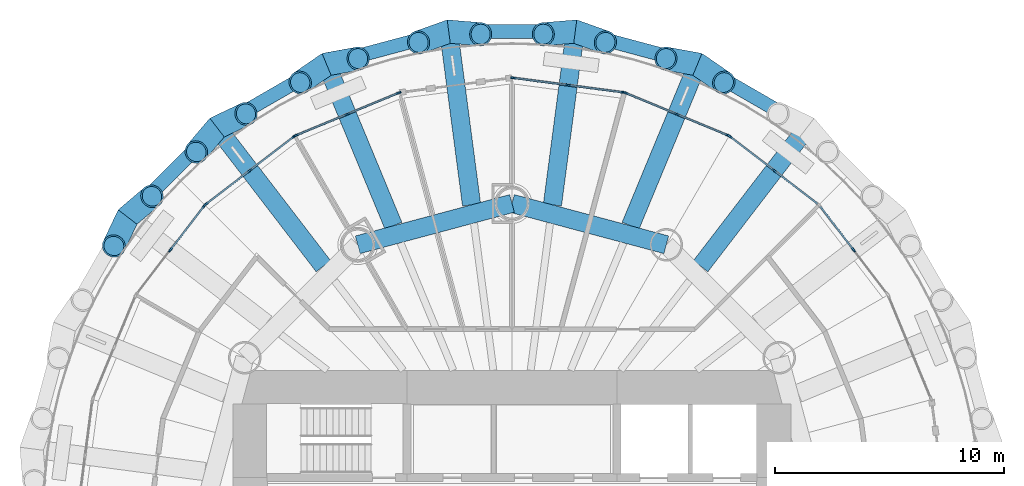
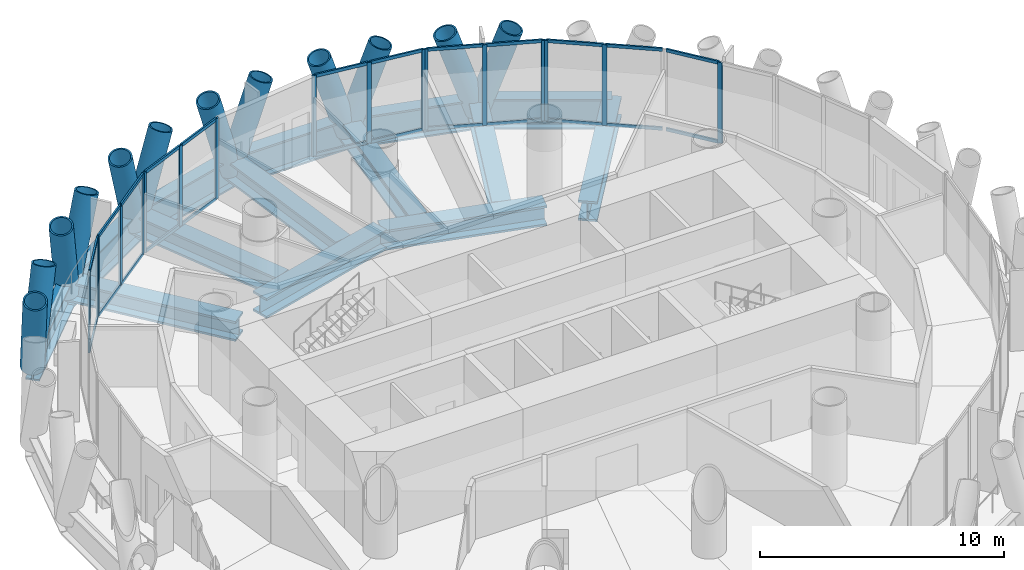
# One storey, part 6 of 16: 53 members, 14 beams, 7 elements without a shape of their own.
"""IFC4 building model written with IfcOpenShell, lengths in metres."""

from ifc_helpers import new_model, si_unit, direction, frame, origin, origin_2d, place, context, subcontext, project, spatial, rectangle, hollow_circle, i_section, extrude, material, material_profile, profile_set, type_object, element, aggregate, save


model = new_model("IFC4")

# Units and contexts
model_context = context("Model", 3, precision=1e-05, world=origin(), true_north=direction((0.0, 1.0)))
body_context = subcontext(model_context, "Body", "Model", "MODEL_VIEW")
ifc_project = project(units=[si_unit("LENGTHUNIT", "METRE"), si_unit("AREAUNIT", "SQUARE_METRE"), si_unit("VOLUMEUNIT", "CUBIC_METRE"), si_unit("PLANEANGLEUNIT", "RADIAN"), si_unit("MASSUNIT", "GRAM", prefix="KILO")], contexts=[model_context])

# Site, building, storey
site_placement = place(None, origin())
site = spatial("IfcSite", under=ifc_project, at=site_placement, CompositionType="ELEMENT")
building_placement = place(site_placement, origin())
building = spatial("IfcBuilding", under=site, at=building_placement, Name="Qaws Media Tower", CompositionType="ELEMENT")
storey_placement = place(building_placement, frame((0.0, 0.0, 269.60009765625)))
storey = spatial("IfcBuildingStorey", under=building, at=storey_placement, Name="L62", CompositionType="ELEMENT", Elevation=269.60009765625)

# Curtain wall, member
ifc_material_1 = material(Name="Aluminium and clear glass", Category="aluminium")
curtain_wall_type = type_object("IfcCurtainWallType", Name="Unitised curtain wall CW-D", PredefinedType="NOTDEFINED", material=ifc_material_1)
curtain_wall_1_placement = place(storey_placement, origin())
curtain_wall_1 = element("IfcCurtainWall", 1, at=curtain_wall_1_placement, inside=storey, type_object=curtain_wall_type, Name="CWD curtain wall L62-03", PredefinedType="NOTDEFINED")
ifc_material_2 = material(Name="Aluminium mullion", Category="aluminium")
ifc_material_profile_1 = material_profile(ifc_material_2, rectangle(XDim=0.080078125, YDim=0.199951171875, at=origin_2d()), Name="80x200")
ifc_profile_set_1 = profile_set([ifc_material_profile_1], Name="Aluminium mullion")
member_type_1 = type_object("IfcMemberType", Name="Curtain wall mullion 80x200", PredefinedType="MULLION", material=ifc_profile_set_1)
member_1_placement = place(storey_placement, frame((74.94482421875, 61.467529296875, 0.0), z_axis=(0.0, 0.0, 1.0), x_axis=(-0.793353335436, -0.608761435337, 0.0)))
member_1 = element("IfcMember", 2, at=member_1_placement, type_object=member_type_1, Name="CWD mullion 2", PredefinedType="MULLION", context=body_context, shape_type="SweptSolid", body=[
    extrude(rectangle(XDim=0.080078125, YDim=0.199951171875, at=origin_2d()), origin(), (0.0, 0.0, 1.0), 4.039794921875),
])

# Curtain wall, members
curtain_wall_2_placement = place(storey_placement, origin())
curtain_wall_2 = element("IfcCurtainWall", 3, at=curtain_wall_2_placement, inside=storey, type_object=curtain_wall_type, Name="CWD curtain wall L62-04", PredefinedType="NOTDEFINED")
member_2_placement = place(storey_placement, frame((71.467529296875, 64.94482421875, 0.0), z_axis=(0.0, 0.0, 1.0), x_axis=(-0.608761435337, -0.793353335436, 0.0)))
member_2 = element("IfcMember", 4, at=member_2_placement, type_object=member_type_1, Name="CWD mullion 2", PredefinedType="MULLION", context=body_context, shape_type="SweptSolid", body=[
    extrude(rectangle(XDim=0.080078125, YDim=0.199951171875, at=origin_2d()), origin(), (0.0, 0.0, 1.0), 4.039794921875),
])
member_3_placement = place(storey_placement, frame((69.53173828125, 66.43017578125, 0.0), z_axis=(0.0, 0.0, 1.0), x_axis=(-0.608761435337, -0.793353335436, 0.0)))
member_3 = element("IfcMember", 5, at=member_3_placement, type_object=member_type_1, Name="CWD mullion 3", PredefinedType="MULLION", context=body_context, shape_type="SweptSolid", body=[
    extrude(rectangle(XDim=0.080078125, YDim=0.199951171875, at=origin_2d()), origin(), (0.0, 0.0, 1.0), 4.039794921875),
])

curtain_wall_3_placement = place(storey_placement, origin())
curtain_wall_3 = element("IfcCurtainWall", 6, at=curtain_wall_3_placement, inside=storey, type_object=curtain_wall_type, Name="CWD curtain wall L62-05", PredefinedType="NOTDEFINED")
member_4_placement = place(storey_placement, frame((69.463134765625, 66.4697265625, 0.0), z_axis=(0.0, 0.0, 1.0), x_axis=(-0.382683437815, -0.923879530254, 0.0)))
member_4 = element("IfcMember", 7, at=member_4_placement, type_object=member_type_1, Name="CWD mullion 1", PredefinedType="MULLION", context=body_context, shape_type="SweptSolid", body=[
    extrude(rectangle(XDim=0.080078125, YDim=0.199951171875, at=origin_2d()), origin(), (0.0, 0.0, 1.0), 4.039794921875),
])
member_5_placement = place(storey_placement, frame((67.208740234375, 67.403564453125, 0.0), z_axis=(0.0, 0.0, 1.0), x_axis=(-0.382683437815, -0.923879530254, 0.0)))
member_5 = element("IfcMember", 8, at=member_5_placement, type_object=member_type_1, Name="CWD mullion 2", PredefinedType="MULLION", context=body_context, shape_type="SweptSolid", body=[
    extrude(rectangle(XDim=0.080078125, YDim=0.199951171875, at=origin_2d()), origin(), (0.0, 0.0, 1.0), 4.039794921875),
])
member_6_placement = place(storey_placement, frame((64.95458984375, 68.33740234375, 0.0), z_axis=(0.0, 0.0, 1.0), x_axis=(-0.382683437815, -0.923879530254, 0.0)))
member_6 = element("IfcMember", 9, at=member_6_placement, type_object=member_type_1, Name="CWD mullion 3", PredefinedType="MULLION", context=body_context, shape_type="SweptSolid", body=[
    extrude(rectangle(XDim=0.080078125, YDim=0.199951171875, at=origin_2d()), origin(), (0.0, 0.0, 1.0), 4.039794921875),
])

curtain_wall_4_placement = place(storey_placement, origin())
curtain_wall_4 = element("IfcCurtainWall", 10, at=curtain_wall_4_placement, inside=storey, type_object=curtain_wall_type, Name="CWD curtain wall L62-06", PredefinedType="NOTDEFINED")
member_7_placement = place(storey_placement, frame((64.8779296875, 68.35791015625, 0.0), z_axis=(0.0, 0.0, 1.0), x_axis=(-0.130526128939, -0.991444869705, 0.0)))
member_7 = element("IfcMember", 11, at=member_7_placement, type_object=member_type_1, Name="CWD mullion 1", PredefinedType="MULLION", context=body_context, shape_type="SweptSolid", body=[
    extrude(rectangle(XDim=0.080078125, YDim=0.199951171875, at=origin_2d()), origin(), (0.0, 0.0, 1.0), 4.039794921875),
])
member_8_placement = place(storey_placement, frame((62.458740234375, 68.67626953125, 0.0), z_axis=(0.0, 0.0, 1.0), x_axis=(-0.130526128939, -0.991444869705, 0.0)))
member_8 = element("IfcMember", 12, at=member_8_placement, type_object=member_type_1, Name="CWD mullion 2", PredefinedType="MULLION", context=body_context, shape_type="SweptSolid", body=[
    extrude(rectangle(XDim=0.080078125, YDim=0.199951171875, at=origin_2d()), origin(), (0.0, 0.0, 1.0), 4.039794921875),
])
member_9_placement = place(storey_placement, frame((60.03955078125, 68.994873046875, 0.0), z_axis=(0.0, 0.0, 1.0), x_axis=(-0.130526128939, -0.991444869705, 0.0)))
member_9 = element("IfcMember", 13, at=member_9_placement, type_object=member_type_1, Name="CWD mullion 3", PredefinedType="MULLION", context=body_context, shape_type="SweptSolid", body=[
    extrude(rectangle(XDim=0.080078125, YDim=0.199951171875, at=origin_2d()), origin(), (0.0, 0.0, 1.0), 4.039794921875),
])

curtain_wall_5_placement = place(storey_placement, origin())
curtain_wall_5 = element("IfcCurtainWall", 14, at=curtain_wall_5_placement, inside=storey, type_object=curtain_wall_type, Name="CWD curtain wall L62-08", PredefinedType="NOTDEFINED")
member_10_placement = place(storey_placement, frame((55.04541015625, 68.33740234375, 0.0), z_axis=(0.0, 0.0, 1.0), x_axis=(0.382683437815, -0.923879530254, 0.0)))
member_10 = element("IfcMember", 15, at=member_10_placement, type_object=member_type_1, Name="CWD mullion 1", PredefinedType="MULLION", context=body_context, shape_type="SweptSolid", body=[
    extrude(rectangle(XDim=0.080078125, YDim=0.199951171875, at=origin_2d()), origin(), (0.0, 0.0, 1.0), 4.039794921875),
])
member_11_placement = place(storey_placement, frame((52.791259765625, 67.403564453125, 0.0), z_axis=(0.0, 0.0, 1.0), x_axis=(0.382683437815, -0.923879530254, 0.0)))
member_11 = element("IfcMember", 16, at=member_11_placement, type_object=member_type_1, Name="CWD mullion 2", PredefinedType="MULLION", context=body_context, shape_type="SweptSolid", body=[
    extrude(rectangle(XDim=0.080078125, YDim=0.199951171875, at=origin_2d()), origin(), (0.0, 0.0, 1.0), 4.039794921875),
])
member_12_placement = place(storey_placement, frame((50.536865234375, 66.4697265625, 0.0), z_axis=(0.0, 0.0, 1.0), x_axis=(0.382683437815, -0.923879530254, 0.0)))
member_12 = element("IfcMember", 17, at=member_12_placement, type_object=member_type_1, Name="CWD mullion 3", PredefinedType="MULLION", context=body_context, shape_type="SweptSolid", body=[
    extrude(rectangle(XDim=0.080078125, YDim=0.199951171875, at=origin_2d()), origin(), (0.0, 0.0, 1.0), 4.039794921875),
])

curtain_wall_6_placement = place(storey_placement, origin())
curtain_wall_6 = element("IfcCurtainWall", 18, at=curtain_wall_6_placement, inside=storey, type_object=curtain_wall_type, Name="CWD curtain wall L62-09", PredefinedType="NOTDEFINED")
member_13_placement = place(storey_placement, frame((50.46826171875, 66.43017578125, 0.0), z_axis=(0.0, 0.0, 1.0), x_axis=(0.608761435337, -0.793353335436, 0.0)))
member_13 = element("IfcMember", 19, at=member_13_placement, type_object=member_type_1, Name="CWD mullion 1", PredefinedType="MULLION", context=body_context, shape_type="SweptSolid", body=[
    extrude(rectangle(XDim=0.080078125, YDim=0.199951171875, at=origin_2d()), origin(), (0.0, 0.0, 1.0), 4.039794921875),
])
member_14_placement = place(storey_placement, frame((48.532470703125, 64.94482421875, 0.0), z_axis=(0.0, 0.0, 1.0), x_axis=(0.608761435337, -0.793353335436, 0.0)))
member_14 = element("IfcMember", 20, at=member_14_placement, type_object=member_type_1, Name="CWD mullion 2", PredefinedType="MULLION", context=body_context, shape_type="SweptSolid", body=[
    extrude(rectangle(XDim=0.080078125, YDim=0.199951171875, at=origin_2d()), origin(), (0.0, 0.0, 1.0), 4.039794921875),
])
member_15_placement = place(storey_placement, frame((46.5966796875, 63.45947265625, 0.0), z_axis=(0.0, 0.0, 1.0), x_axis=(0.608761435337, -0.793353335436, 0.0)))
member_15 = element("IfcMember", 21, at=member_15_placement, type_object=member_type_1, Name="CWD mullion 3", PredefinedType="MULLION", context=body_context, shape_type="SweptSolid", body=[
    extrude(rectangle(XDim=0.080078125, YDim=0.199951171875, at=origin_2d()), origin(), (0.0, 0.0, 1.0), 4.039794921875),
])

curtain_wall_7_placement = place(storey_placement, origin())
curtain_wall_7 = element("IfcCurtainWall", 22, at=curtain_wall_7_placement, inside=storey, type_object=curtain_wall_type, Name="CWD curtain wall L62-10", PredefinedType="NOTDEFINED")
member_16_placement = place(storey_placement, frame((46.54052734375, 63.4033203125, 0.0), z_axis=(0.0, 0.0, 1.0), x_axis=(0.793353335436, -0.608761435337, 0.0)))
member_16 = element("IfcMember", 23, at=member_16_placement, type_object=member_type_1, Name="CWD mullion 1", PredefinedType="MULLION", context=body_context, shape_type="SweptSolid", body=[
    extrude(rectangle(XDim=0.080078125, YDim=0.199951171875, at=origin_2d()), origin(), (0.0, 0.0, 1.0), 4.039794921875),
])
member_17_placement = place(storey_placement, frame((45.05517578125, 61.467529296875, 0.0), z_axis=(0.0, 0.0, 1.0), x_axis=(0.793353335436, -0.608761435337, 0.0)))
member_17 = element("IfcMember", 24, at=member_17_placement, type_object=member_type_1, Name="CWD mullion 2", PredefinedType="MULLION", context=body_context, shape_type="SweptSolid", body=[
    extrude(rectangle(XDim=0.080078125, YDim=0.199951171875, at=origin_2d()), origin(), (0.0, 0.0, 1.0), 4.039794921875),
])

# Member
ifc_material_3 = material(Name="Aluminium transom", Category="aluminium")
ifc_material_profile_2 = material_profile(ifc_material_3, rectangle(XDim=0.080078125, YDim=0.159912109375, at=origin_2d()), Name="80x160")
ifc_profile_set_2 = profile_set([ifc_material_profile_2], Name="Aluminium transom")
member_type_2 = type_object("IfcMemberType", Name="Curtain wall transom 80x160", PredefinedType="USERDEFINED", material=ifc_profile_set_2)
member_18_placement = place(storey_placement, frame((74.92041015625, 61.499267578125, 0.039794921875), z_axis=(-0.608785475942, 0.793334887851, 0.0), x_axis=(-0.793334887851, -0.608785475942, 0.0)))
member_18 = element("IfcMember", 25, at=member_18_placement, type_object=member_type_2, Name="CWD transom 2.1", ObjectType="TRANSOM", PredefinedType="USERDEFINED", context=body_context, shape_type="SweptSolid", body=[
    extrude(rectangle(XDim=0.080078125, YDim=0.159912109375, at=origin_2d()), origin(), (0.0, 0.0, 1.0), 2.360107421875),
])

member_19_placement = place(storey_placement, frame((74.92041015625, 61.499267578125, 4.0), z_axis=(-0.608785475942, 0.793334887851, 0.0), x_axis=(-0.793334887851, -0.608785475942, 0.0)))
member_19 = element("IfcMember", 26, at=member_19_placement, type_object=member_type_2, Name="CWD transom 2.2", ObjectType="TRANSOM", PredefinedType="USERDEFINED", context=body_context, shape_type="SweptSolid", body=[
    extrude(rectangle(XDim=0.080078125, YDim=0.159912109375, at=origin_2d()), origin(), (0.0, 0.0, 1.0), 2.360107421875),
])

aggregate(curtain_wall_1, [member_1, member_18, member_19])

member_20_placement = place(storey_placement, frame((73.37158203125, 63.483642578125, 0.039794921875), z_axis=(-0.793334887851, 0.608785475942, 0.0), x_axis=(-0.608785475942, -0.793334887851, 0.0)))
member_20 = element("IfcMember", 27, at=member_20_placement, type_object=member_type_2, Name="CWD transom 1.1", ObjectType="TRANSOM", PredefinedType="USERDEFINED", context=body_context, shape_type="SweptSolid", body=[
    extrude(rectangle(XDim=0.080078125, YDim=0.159912109375, at=origin_2d()), origin(), (0.0, 0.0, 1.0), 2.360107421875),
])

member_21_placement = place(storey_placement, frame((73.37158203125, 63.483642578125, 4.0), z_axis=(-0.793334887851, 0.608785475942, 0.0), x_axis=(-0.608785475942, -0.793334887851, 0.0)))
member_21 = element("IfcMember", 28, at=member_21_placement, type_object=member_type_2, Name="CWD transom 1.2", ObjectType="TRANSOM", PredefinedType="USERDEFINED", context=body_context, shape_type="SweptSolid", body=[
    extrude(rectangle(XDim=0.080078125, YDim=0.159912109375, at=origin_2d()), origin(), (0.0, 0.0, 1.0), 2.360107421875),
])

member_22_placement = place(storey_placement, frame((71.435791015625, 64.968994140625, 0.039794921875), z_axis=(-0.793334887851, 0.608785475942, 0.0), x_axis=(-0.608785475942, -0.793334887851, 0.0)))
member_22 = element("IfcMember", 29, at=member_22_placement, type_object=member_type_2, Name="CWD transom 2.1", ObjectType="TRANSOM", PredefinedType="USERDEFINED", context=body_context, shape_type="SweptSolid", body=[
    extrude(rectangle(XDim=0.080078125, YDim=0.159912109375, at=origin_2d()), origin(), (0.0, 0.0, 1.0), 2.360107421875),
])

member_23_placement = place(storey_placement, frame((71.435791015625, 64.968994140625, 4.0), z_axis=(-0.793334887851, 0.608785475942, 0.0), x_axis=(-0.608785475942, -0.793334887851, 0.0)))
member_23 = element("IfcMember", 30, at=member_23_placement, type_object=member_type_2, Name="CWD transom 2.2", ObjectType="TRANSOM", PredefinedType="USERDEFINED", context=body_context, shape_type="SweptSolid", body=[
    extrude(rectangle(XDim=0.080078125, YDim=0.159912109375, at=origin_2d()), origin(), (0.0, 0.0, 1.0), 2.360107421875),
])

aggregate(curtain_wall_2, [member_2, member_3, member_20, member_21, member_22, member_23])

member_24_placement = place(storey_placement, frame((69.426025390625, 66.485107421875, 0.039794921875), z_axis=(-0.923876866406, 0.38268986885, 0.0), x_axis=(-0.38268986885, -0.923876866406, 0.0)))
member_24 = element("IfcMember", 31, at=member_24_placement, type_object=member_type_2, Name="CWD transom 1.1", ObjectType="TRANSOM", PredefinedType="USERDEFINED", context=body_context, shape_type="SweptSolid", body=[
    extrude(rectangle(XDim=0.080078125, YDim=0.159912109375, at=origin_2d()), origin(), (0.0, 0.0, 1.0), 2.35986328125),
])

member_25_placement = place(storey_placement, frame((69.426025390625, 66.485107421875, 4.0), z_axis=(-0.923876866406, 0.38268986885, 0.0), x_axis=(-0.38268986885, -0.923876866406, 0.0)))
member_25 = element("IfcMember", 32, at=member_25_placement, type_object=member_type_2, Name="CWD transom 1.2", ObjectType="TRANSOM", PredefinedType="USERDEFINED", context=body_context, shape_type="SweptSolid", body=[
    extrude(rectangle(XDim=0.080078125, YDim=0.159912109375, at=origin_2d()), origin(), (0.0, 0.0, 1.0), 2.35986328125),
])

member_26_placement = place(storey_placement, frame((67.171875, 67.4189453125, 0.039794921875), z_axis=(-0.923892015766, 0.382653293732, 0.0), x_axis=(-0.382653293732, -0.923892015766, 0.0)))
member_26 = element("IfcMember", 33, at=member_26_placement, type_object=member_type_2, Name="CWD transom 2.1", ObjectType="TRANSOM", PredefinedType="USERDEFINED", context=body_context, shape_type="SweptSolid", body=[
    extrude(rectangle(XDim=0.080078125, YDim=0.159912109375, at=origin_2d()), origin(), (0.0, 0.0, 1.0), 2.360107421875),
])

member_27_placement = place(storey_placement, frame((67.171875, 67.4189453125, 4.0), z_axis=(-0.923892015766, 0.382653293732, 0.0), x_axis=(-0.382653293732, -0.923892015766, 0.0)))
member_27 = element("IfcMember", 34, at=member_27_placement, type_object=member_type_2, Name="CWD transom 2.2", ObjectType="TRANSOM", PredefinedType="USERDEFINED", context=body_context, shape_type="SweptSolid", body=[
    extrude(rectangle(XDim=0.080078125, YDim=0.159912109375, at=origin_2d()), origin(), (0.0, 0.0, 1.0), 2.360107421875),
])

aggregate(curtain_wall_3, [member_4, member_5, member_6, member_24, member_25, member_26, member_27])

member_28_placement = place(storey_placement, frame((64.838134765625, 68.363037109375, 0.039794921875), z_axis=(-0.991439851806, 0.130564238024, 0.0), x_axis=(-0.130564238024, -0.991439851806, 0.0)))
member_28 = element("IfcMember", 35, at=member_28_placement, type_object=member_type_2, Name="CWD transom 1.1", ObjectType="TRANSOM", PredefinedType="USERDEFINED", context=body_context, shape_type="SweptSolid", body=[
    extrude(rectangle(XDim=0.080078125, YDim=0.159912109375, at=origin_2d()), origin(), (0.0, 0.0, 1.0), 2.35986328125),
])

member_29_placement = place(storey_placement, frame((64.838134765625, 68.363037109375, 4.0), z_axis=(-0.991439851806, 0.130564238024, 0.0), x_axis=(-0.130564238024, -0.991439851806, 0.0)))
member_29 = element("IfcMember", 36, at=member_29_placement, type_object=member_type_2, Name="CWD transom 1.2", ObjectType="TRANSOM", PredefinedType="USERDEFINED", context=body_context, shape_type="SweptSolid", body=[
    extrude(rectangle(XDim=0.080078125, YDim=0.159912109375, at=origin_2d()), origin(), (0.0, 0.0, 1.0), 2.35986328125),
])

member_30_placement = place(storey_placement, frame((62.419189453125, 68.681396484375, 0.039794921875), z_axis=(-0.991441615189, 0.130550847075, 0.0), x_axis=(-0.130550847075, -0.991441615189, 0.0)))
member_30 = element("IfcMember", 37, at=member_30_placement, type_object=member_type_2, Name="CWD transom 2.1", ObjectType="TRANSOM", PredefinedType="USERDEFINED", context=body_context, shape_type="SweptSolid", body=[
    extrude(rectangle(XDim=0.080078125, YDim=0.159912109375, at=origin_2d()), origin(), (0.0, 0.0, 1.0), 2.360107421875),
])

member_31_placement = place(storey_placement, frame((62.419189453125, 68.681396484375, 4.0), z_axis=(-0.991441615189, 0.130550847075, 0.0), x_axis=(-0.130550847075, -0.991441615189, 0.0)))
member_31 = element("IfcMember", 38, at=member_31_placement, type_object=member_type_2, Name="CWD transom 2.2", ObjectType="TRANSOM", PredefinedType="USERDEFINED", context=body_context, shape_type="SweptSolid", body=[
    extrude(rectangle(XDim=0.080078125, YDim=0.159912109375, at=origin_2d()), origin(), (0.0, 0.0, 1.0), 2.360107421875),
])

aggregate(curtain_wall_4, [member_7, member_8, member_9, member_28, member_29, member_30, member_31])

member_32_placement = place(storey_placement, frame((55.008544921875, 68.322021484375, 0.039794921875), z_axis=(-0.923892015766, -0.382653293732, 0.0), x_axis=(0.382653293732, -0.923892015766, 0.0)))
member_32 = element("IfcMember", 39, at=member_32_placement, type_object=member_type_2, Name="CWD transom 1.1", ObjectType="TRANSOM", PredefinedType="USERDEFINED", context=body_context, shape_type="SweptSolid", body=[
    extrude(rectangle(XDim=0.080078125, YDim=0.159912109375, at=origin_2d()), origin(), (0.0, 0.0, 1.0), 2.360107421875),
])

member_33_placement = place(storey_placement, frame((55.008544921875, 68.322021484375, 4.0), z_axis=(-0.923892015766, -0.382653293732, 0.0), x_axis=(0.382653293732, -0.923892015766, 0.0)))
member_33 = element("IfcMember", 40, at=member_33_placement, type_object=member_type_2, Name="CWD transom 1.2", ObjectType="TRANSOM", PredefinedType="USERDEFINED", context=body_context, shape_type="SweptSolid", body=[
    extrude(rectangle(XDim=0.080078125, YDim=0.159912109375, at=origin_2d()), origin(), (0.0, 0.0, 1.0), 2.360107421875),
])

member_34_placement = place(storey_placement, frame((52.754150390625, 67.38818359375, 0.039794921875), z_axis=(-0.923876866406, -0.38268986885, 0.0), x_axis=(0.38268986885, -0.923876866406, 0.0)))
member_34 = element("IfcMember", 41, at=member_34_placement, type_object=member_type_2, Name="CWD transom 2.1", ObjectType="TRANSOM", PredefinedType="USERDEFINED", context=body_context, shape_type="SweptSolid", body=[
    extrude(rectangle(XDim=0.080078125, YDim=0.159912109375, at=origin_2d()), origin(), (0.0, 0.0, 1.0), 2.35986328125),
])

member_35_placement = place(storey_placement, frame((52.754150390625, 67.38818359375, 4.0), z_axis=(-0.923876866406, -0.38268986885, 0.0), x_axis=(0.38268986885, -0.923876866406, 0.0)))
member_35 = element("IfcMember", 42, at=member_35_placement, type_object=member_type_2, Name="CWD transom 2.2", ObjectType="TRANSOM", PredefinedType="USERDEFINED", context=body_context, shape_type="SweptSolid", body=[
    extrude(rectangle(XDim=0.080078125, YDim=0.159912109375, at=origin_2d()), origin(), (0.0, 0.0, 1.0), 2.35986328125),
])

aggregate(curtain_wall_5, [member_10, member_11, member_12, member_32, member_33, member_34, member_35])

member_36_placement = place(storey_placement, frame((50.4365234375, 66.40576171875, 0.039794921875), z_axis=(-0.793334887851, -0.608785475942, 0.0), x_axis=(0.608785475942, -0.793334887851, 0.0)))
member_36 = element("IfcMember", 43, at=member_36_placement, type_object=member_type_2, Name="CWD transom 1.1", ObjectType="TRANSOM", PredefinedType="USERDEFINED", context=body_context, shape_type="SweptSolid", body=[
    extrude(rectangle(XDim=0.080078125, YDim=0.159912109375, at=origin_2d()), origin(), (0.0, 0.0, 1.0), 2.360107421875),
])

member_37_placement = place(storey_placement, frame((50.4365234375, 66.40576171875, 4.0), z_axis=(-0.793334887851, -0.608785475942, 0.0), x_axis=(0.608785475942, -0.793334887851, 0.0)))
member_37 = element("IfcMember", 44, at=member_37_placement, type_object=member_type_2, Name="CWD transom 1.2", ObjectType="TRANSOM", PredefinedType="USERDEFINED", context=body_context, shape_type="SweptSolid", body=[
    extrude(rectangle(XDim=0.080078125, YDim=0.159912109375, at=origin_2d()), origin(), (0.0, 0.0, 1.0), 2.360107421875),
])

member_38_placement = place(storey_placement, frame((48.500732421875, 64.92041015625, 0.039794921875), z_axis=(-0.793334887851, -0.608785475942, 0.0), x_axis=(0.608785475942, -0.793334887851, 0.0)))
member_38 = element("IfcMember", 45, at=member_38_placement, type_object=member_type_2, Name="CWD transom 2.1", ObjectType="TRANSOM", PredefinedType="USERDEFINED", context=body_context, shape_type="SweptSolid", body=[
    extrude(rectangle(XDim=0.080078125, YDim=0.159912109375, at=origin_2d()), origin(), (0.0, 0.0, 1.0), 2.360107421875),
])

member_39_placement = place(storey_placement, frame((48.500732421875, 64.92041015625, 4.0), z_axis=(-0.793334887851, -0.608785475942, 0.0), x_axis=(0.608785475942, -0.793334887851, 0.0)))
member_39 = element("IfcMember", 46, at=member_39_placement, type_object=member_type_2, Name="CWD transom 2.2", ObjectType="TRANSOM", PredefinedType="USERDEFINED", context=body_context, shape_type="SweptSolid", body=[
    extrude(rectangle(XDim=0.080078125, YDim=0.159912109375, at=origin_2d()), origin(), (0.0, 0.0, 1.0), 2.360107421875),
])

aggregate(curtain_wall_6, [member_13, member_14, member_15, member_36, member_37, member_38, member_39])

member_40_placement = place(storey_placement, frame((46.516357421875, 63.37158203125, 0.039794921875), z_axis=(-0.608785475942, -0.793334887851, 0.0), x_axis=(0.793334887851, -0.608785475942, 0.0)))
member_40 = element("IfcMember", 47, at=member_40_placement, type_object=member_type_2, Name="CWD transom 1.1", ObjectType="TRANSOM", PredefinedType="USERDEFINED", context=body_context, shape_type="SweptSolid", body=[
    extrude(rectangle(XDim=0.080078125, YDim=0.159912109375, at=origin_2d()), origin(), (0.0, 0.0, 1.0), 2.360107421875),
])

member_41_placement = place(storey_placement, frame((46.516357421875, 63.37158203125, 4.0), z_axis=(-0.608785475942, -0.793334887851, 0.0), x_axis=(0.793334887851, -0.608785475942, 0.0)))
member_41 = element("IfcMember", 48, at=member_41_placement, type_object=member_type_2, Name="CWD transom 1.2", ObjectType="TRANSOM", PredefinedType="USERDEFINED", context=body_context, shape_type="SweptSolid", body=[
    extrude(rectangle(XDim=0.080078125, YDim=0.159912109375, at=origin_2d()), origin(), (0.0, 0.0, 1.0), 2.360107421875),
])

aggregate(curtain_wall_7, [member_16, member_17, member_40, member_41])

# Members
ifc_material_4 = material(Name="Steel S460", Category="steel")
ifc_material_profile_3 = material_profile(ifc_material_4, hollow_circle(Radius=0.508056640625, WallThickness=0.070068359375, at=origin_2d()), Name="CHS 1016x70")
ifc_profile_set_3 = profile_set([ifc_material_profile_3], Name="Steel S460")
member_type_3 = type_object("IfcMemberType", Name="Diagrid member CHS 1016x70", PredefinedType="USERDEFINED", material=ifc_profile_set_3)
for number, where, z_axis, x_axis, name in (
    (49, (68.11279296875, 69.586181640625, -0.91015625), (-0.311378008011, 0.056904923724, 0.948580816685), (-0.179774482363, -0.983707850681, 0.0), "DG3 diagrid L62 A05"),
    (50, (68.11279296875, 69.586181640625, -0.91015625), (0.260428145807, -0.179923150491, 0.948580434538), (0.568412574947, 0.822743668856, 0.0), "DG3 diagrid L62 B05"),
    (51, (62.76708984375, 71.0185546875, -0.91015625), (-0.315511681135, -0.025640148851, 0.948575227293), (0.08099827375, -0.996714241721, 0.0), "DG3 diagrid L62 A06"),
    (52, (62.76708984375, 71.0185546875, -0.91015625), (0.298141170199, -0.106419910946, 0.948570843525), (0.336170879683, 0.941801008522, 0.0), "DG3 diagrid L62 B06"),
    (53, (57.23291015625, 71.0185546875, -0.91015625), (-0.298141170199, -0.106419910946, 0.948570843525), (0.336170879683, -0.941801008522, 0.0), "DG3 diagrid L62 A07"),
    (54, (57.23291015625, 71.0185546875, -0.91015625), (0.315511681135, -0.025640148851, 0.948575227293), (0.08099827375, 0.996714241721, 0.0), "DG3 diagrid L62 B07"),
    (55, (51.88720703125, 69.586181640625, -0.91015625), (-0.260428145807, -0.179923150491, 0.948580434538), (0.568412574947, -0.822743668856, 0.0), "DG3 diagrid L62 A08"),
    (56, (51.88720703125, 69.586181640625, -0.91015625), (0.311378008011, 0.056904923724, 0.948580816685), (-0.179774482363, 0.983707850681, 0.0), "DG3 diagrid L62 B08"),
    (57, (47.09423828125, 66.819091796875, -0.91015625), (-0.2049560182, -0.241238251178, 0.948576373716), (0.762089724206, -0.647471429686, 0.0), "DG3 diagrid L62 A09"),
    (58, (47.09423828125, 66.819091796875, -0.91015625), (0.286067039423, 0.135534460852, 0.948575805551), (-0.428161221709, 0.903702367057, 0.0), "DG3 diagrid L62 B09"),
    (59, (43.180908203125, 62.90576171875, -0.91015625), (-0.135534460852, -0.286067039423, 0.948575805551), (0.903702367057, -0.428161221709, 0.0), "DG3 diagrid L62 A10"),
    (60, (43.180908203125, 62.90576171875, -0.91015625), (0.241238251178, 0.2049560182, 0.948576373716), (-0.647471429686, 0.762089724206, 0.0), "DG3 diagrid L62 B10"),
):
    element("IfcMember", number, at=place(storey_placement, frame(where, z_axis=z_axis, x_axis=x_axis)), inside=storey, type_object=member_type_3, Name=name, ObjectType="DIAGRID", PredefinedType="USERDEFINED", context=body_context, shape_type="SweptSolid", body=[
        extrude(hollow_circle(Radius=0.508056640625, WallThickness=0.070068359375, at=origin_2d()), origin(), (0.0, 0.0, 1.0), 4.427734375),
    ])

# Beams
ifc_material_5 = material(Name="Steel S460", Category="steel")
ifc_material_profile_4 = material_profile(ifc_material_5, i_section(OverallWidth=0.60009765625, OverallDepth=1.5, WebThickness=0.030029296875, FlangeThickness=0.080078125, at=origin_2d()), Name="PG 1500x600")
ifc_profile_set_4 = profile_set([ifc_material_profile_4], Name="Steel S460")
beam_type_1 = type_object("IfcBeamType", Name="Edge ring beam PG 1500x600", PredefinedType="BEAM", material=ifc_profile_set_4)
beam_1_placement = place(storey_placement, frame((72.90576171875, 66.819091796875, -0.91015625), z_axis=(-0.866035727774, 0.499982117899, 0.0), x_axis=(-0.499982117899, -0.866035727774, 0.0)))
element("IfcBeam", 61, at=beam_1_placement, inside=storey, type_object=beam_type_1, Name="RB5 edge ring beam L62-04", PredefinedType="BEAM", context=body_context, shape_type="SweptSolid", body=[
    extrude(i_section(OverallWidth=0.60009765625, OverallDepth=1.5, WebThickness=0.030029296875, FlangeThickness=0.080078125, at=origin_2d()), origin(), (0.0, 0.0, 1.0), 5.534423828125),
])
for number, where, z_axis, x_axis, name in (
    (62, (68.11279296875, 69.586181640625, -0.91015625), (-0.965925997424, 0.258818406416, 0.0), (-0.258818406416, -0.965925997424, 0.0), "RB5 edge ring beam L62-05"),
    (63, (62.76708984375, 71.0185546875, -0.91015625), (-1.0, 0.0, 0.0), (0.0, -1.0, 0.0), "RB5 edge ring beam L62-06"),
    (64, (57.23291015625, 71.0185546875, -0.91015625), (-0.965925997424, -0.258818406416, 0.0), (0.258818406416, -0.965925997424, 0.0), "RB5 edge ring beam L62-07"),
):
    element("IfcBeam", number, at=place(storey_placement, frame(where, z_axis=z_axis, x_axis=x_axis)), inside=storey, type_object=beam_type_1, Name=name, PredefinedType="BEAM", context=body_context, shape_type="SweptSolid", body=[
        extrude(i_section(OverallWidth=0.60009765625, OverallDepth=1.5, WebThickness=0.030029296875, FlangeThickness=0.080078125, at=origin_2d()), origin(), (0.0, 0.0, 1.0), 5.5341796875),
    ])
beam_2_placement = place(storey_placement, frame((51.88720703125, 69.586181640625, -0.91015625), z_axis=(-0.866035727774, -0.499982117899, 0.0), x_axis=(0.499982117899, -0.866035727774, 0.0)))
element("IfcBeam", 65, at=beam_2_placement, inside=storey, type_object=beam_type_1, Name="RB5 edge ring beam L62-08", PredefinedType="BEAM", context=body_context, shape_type="SweptSolid", body=[
    extrude(i_section(OverallWidth=0.60009765625, OverallDepth=1.5, WebThickness=0.030029296875, FlangeThickness=0.080078125, at=origin_2d()), origin(), (0.0, 0.0, 1.0), 5.534423828125),
])
beam_3_placement = place(storey_placement, frame((47.09423828125, 66.819091796875, -0.91015625), z_axis=(-0.707106781187, -0.707106781187, 0.0), x_axis=(0.707106781187, -0.707106781187, 0.0)))
element("IfcBeam", 66, at=beam_3_placement, inside=storey, type_object=beam_type_1, Name="RB5 edge ring beam L62-09", PredefinedType="BEAM", context=body_context, shape_type="SweptSolid", body=[
    extrude(i_section(OverallWidth=0.60009765625, OverallDepth=1.5, WebThickness=0.030029296875, FlangeThickness=0.080078125, at=origin_2d()), origin(), (0.0, 0.0, 1.0), 5.5341796875),
])
ifc_material_6 = material(Name="Steel S460", Category="steel")
ifc_material_profile_5 = material_profile(ifc_material_6, i_section(OverallWidth=0.800048828125, OverallDepth=1.0, WebThickness=0.0400390625, FlangeThickness=0.10009765625, at=origin_2d()), Name="PG 1000x800")
ifc_profile_set_5 = profile_set([ifc_material_profile_5], Name="Steel S460")
beam_type_2 = type_object("IfcBeamType", Name="Inner ring girder PG 1000x800", PredefinedType="BEAM", material=ifc_profile_set_5)
for number, where, z_axis, x_axis, name in (
    (67, (66.75, 61.69140625, -0.66015625), (-0.965928090778, 0.258810593767, 0.0), (-0.258810593767, -0.965928090778, 0.0), "B3 inner ring beam L62 I03-I04"),
    (68, (60.0, 63.5, -0.66015625), (-0.965928090778, -0.258810593767, 0.0), (0.258810593767, -0.965928090778, 0.0), "B3 inner ring beam L62 I04-I05"),
):
    element("IfcBeam", number, at=place(storey_placement, frame(where, z_axis=z_axis, x_axis=x_axis)), inside=storey, type_object=beam_type_2, Name=name, PredefinedType="BEAM", context=body_context, shape_type="SweptSolid", body=[
        extrude(i_section(OverallWidth=0.800048828125, OverallDepth=1.0, WebThickness=0.0400390625, FlangeThickness=0.10009765625, at=origin_2d()), origin(), (0.0, 0.0, 1.0), 6.988037109375),
    ])
ifc_material_7 = material(Name="Steel S460", Category="steel")
ifc_material_profile_6 = material_profile(ifc_material_7, i_section(OverallWidth=0.800048828125, OverallDepth=1.0, WebThickness=0.0400390625, FlangeThickness=0.10009765625, at=origin_2d()), Name="PG 1000x800")
ifc_profile_set_6 = profile_set([ifc_material_profile_6], Name="Steel S460")
beam_type_3 = type_object("IfcBeamType", Name="Radial girder PG 1000x800", PredefinedType="BEAM", material=ifc_profile_set_6)
beam_4_placement = place(storey_placement, frame((68.25244140625, 60.754638671875, -0.66015625), z_axis=(0.608753340073, 0.793359547084, 0.0), x_axis=(-0.793359547084, 0.608753340073, 0.0)))
element("IfcBeam", 69, at=beam_4_placement, inside=storey, type_object=beam_type_3, Name="B1 radial beam L62 04", PredefinedType="BEAM", context=body_context, shape_type="SweptSolid", body=[
    extrude(i_section(OverallWidth=0.800048828125, OverallDepth=1.0, WebThickness=0.0400390625, FlangeThickness=0.10009765625, at=origin_2d()), origin(), (0.0, 0.0, 1.0), 7.64404296875),
])
beam_5_placement = place(storey_placement, frame((65.187744140625, 62.524169921875, -0.66015625), z_axis=(0.382668669706, 0.923885647267, 0.0), x_axis=(-0.923885647267, 0.382668669706, 0.0)))
element("IfcBeam", 70, at=beam_5_placement, inside=storey, type_object=beam_type_3, Name="B1 radial beam L62 05", PredefinedType="BEAM", context=body_context, shape_type="SweptSolid", body=[
    extrude(i_section(OverallWidth=0.800048828125, OverallDepth=1.0, WebThickness=0.0400390625, FlangeThickness=0.10009765625, at=origin_2d()), origin(), (0.0, 0.0, 1.0), 7.643798828125),
])
for number, where, z_axis, x_axis, name in (
    (71, (61.769287109375, 63.43994140625, -0.66015625), (0.130533826448, 0.991443856279, 0.0), (-0.991443856279, 0.130533826448, 0.0), "B1 radial beam L62 06"),
    (72, (58.230712890625, 63.43994140625, -0.66015625), (-0.130533826448, 0.991443856279, 0.0), (-0.991443856279, -0.130533826448, 0.0), "B1 radial beam L62 07"),
):
    element("IfcBeam", number, at=place(storey_placement, frame(where, z_axis=z_axis, x_axis=x_axis)), inside=storey, type_object=beam_type_3, Name=name, PredefinedType="BEAM", context=body_context, shape_type="SweptSolid", body=[
        extrude(i_section(OverallWidth=0.800048828125, OverallDepth=1.0, WebThickness=0.0400390625, FlangeThickness=0.10009765625, at=origin_2d()), origin(), (0.0, 0.0, 1.0), 7.64404296875),
    ])
beam_6_placement = place(storey_placement, frame((54.812255859375, 62.524169921875, -0.66015625), z_axis=(-0.382668669706, 0.923885647267, 0.0), x_axis=(-0.923885647267, -0.382668669706, 0.0)))
element("IfcBeam", 73, at=beam_6_placement, inside=storey, type_object=beam_type_3, Name="B1 radial beam L62 08", PredefinedType="BEAM", context=body_context, shape_type="SweptSolid", body=[
    extrude(i_section(OverallWidth=0.800048828125, OverallDepth=1.0, WebThickness=0.0400390625, FlangeThickness=0.10009765625, at=origin_2d()), origin(), (0.0, 0.0, 1.0), 7.643798828125),
])
beam_7_placement = place(storey_placement, frame((51.74755859375, 60.754638671875, -0.66015625), z_axis=(-0.608753340073, 0.793359547084, 0.0), x_axis=(-0.793359547084, -0.608753340073, 0.0)))
element("IfcBeam", 74, at=beam_7_placement, inside=storey, type_object=beam_type_3, Name="B1 radial beam L62 09", PredefinedType="BEAM", context=body_context, shape_type="SweptSolid", body=[
    extrude(i_section(OverallWidth=0.800048828125, OverallDepth=1.0, WebThickness=0.0400390625, FlangeThickness=0.10009765625, at=origin_2d()), origin(), (0.0, 0.0, 1.0), 7.64404296875),
])

save(model, "model.ifc")
